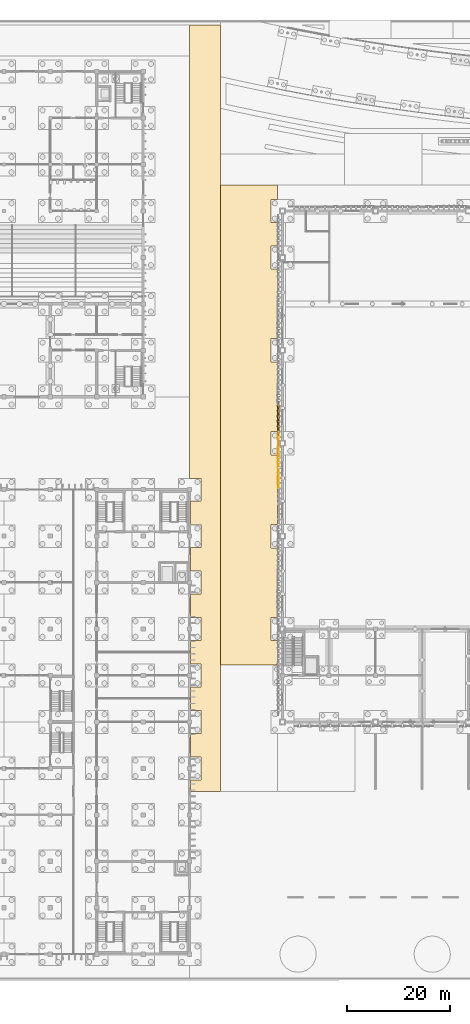
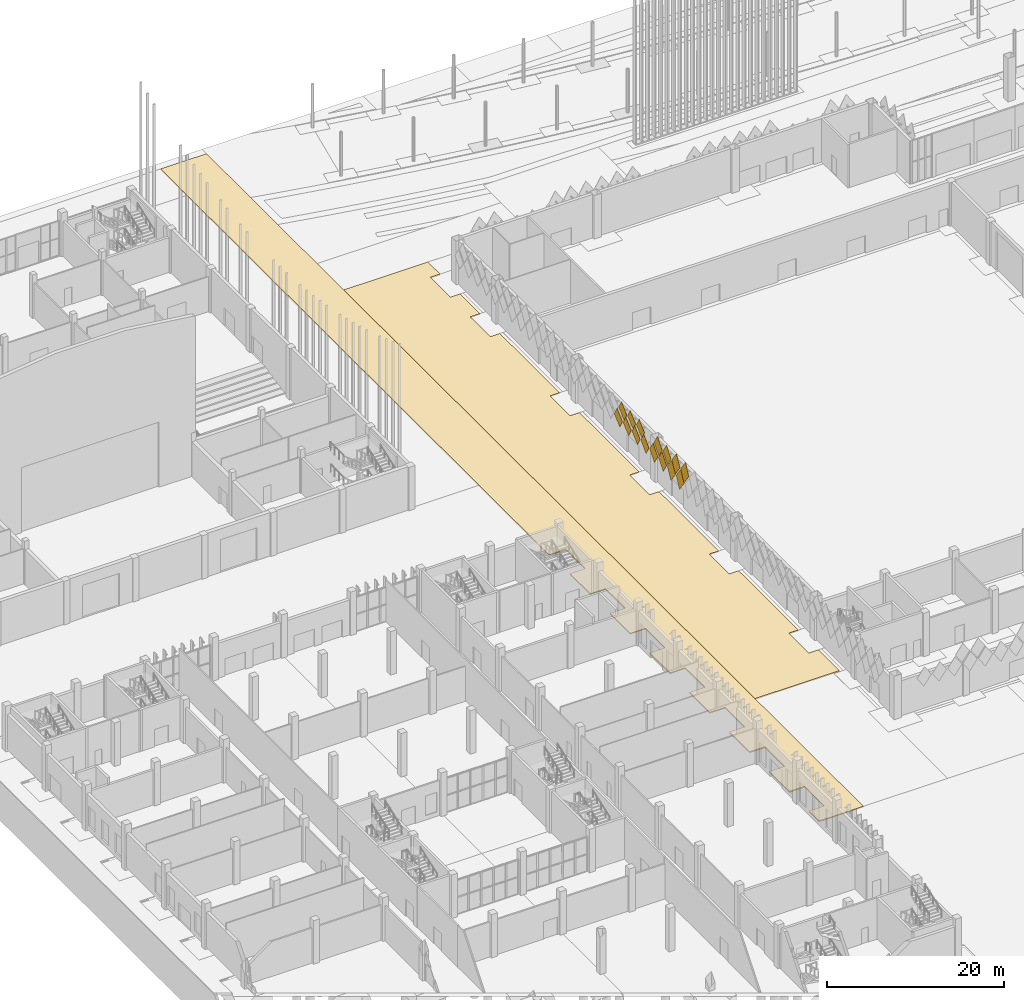
# One storey, part 152 of 198: 17 coverings.
"""IFC4 building model written with IfcOpenShell, lengths in metres."""

from ifc_helpers import new_model, si_unit, direction, frame, origin, place, context, subcontext, project, spatial, polyline, outline, extrude, material, layer, layer_set, material_profile, profile_set, type_object, element, save


model = new_model("IFC4")

# Units and contexts
model_context = context("Model", 3, precision=1e-05, world=origin(), true_north=direction((0.0, 1.0)))
body_context = subcontext(model_context, "Body", "Model", "MODEL_VIEW")
ifc_project = project(units=[si_unit("LENGTHUNIT", "METRE"), si_unit("AREAUNIT", "SQUARE_METRE"), si_unit("VOLUMEUNIT", "CUBIC_METRE"), si_unit("PLANEANGLEUNIT", "RADIAN"), si_unit("MASSUNIT", "GRAM", prefix="KILO")], contexts=[model_context])

# Site, building, storey
site_placement = place(None, origin())
site = spatial("IfcSite", under=ifc_project, at=site_placement, CompositionType="ELEMENT")
building_placement = place(site_placement, origin())
building = spatial("IfcBuilding", under=site, at=building_placement, Name="Opaline Strait Convention Centre", CompositionType="ELEMENT")
storey_placement = place(building_placement, origin())
storey = spatial("IfcBuildingStorey", under=building, at=storey_placement, Name="L00", CompositionType="ELEMENT", Elevation=0.0)

# Coverings
ifc_material_1 = material(Name="White ceramic-faced aluminium tile", Category="aluminium")
ifc_material_profile_1 = material_profile(ifc_material_1, outline(polyline([(0.927978515625, 0.0), (0.0, 1.39208984375), (-0.927978515625, 0.0), (0.0, -1.39208984375), (0.927978515625, 0.0)])), Name="Diamond tile 1856x2784")
ifc_profile_set_1 = profile_set([ifc_material_profile_1], Name="White ceramic-faced aluminium tile")
covering_type_1 = type_object("IfcCoveringType", Name="Diamond wall tile 1856x2784x30 pivot 3 deg", PredefinedType="CLADDING", material=ifc_profile_set_1)
for number, where, z_axis, x_axis, name in (
    (1, (98.199951171875, 105.25, 4.39208984375), (-0.998384516691, 0.0, -0.056818631031), (0.0, -1.0, 0.0), "Wall tile XT06 W"),
    (2, (98.199951171875, 103.25, 4.39208984375), (-0.998812351125, 0.0, 0.048722553713), (0.0, -1.0, 0.0), "Wall tile XT06 W"),
    (3, (98.199951171875, 104.25, 5.89208984375), (-0.998384516691, 0.0, -0.056818631031), (0.0, -1.0, 0.0), "Wall tile XT06 W"),
    (4, (98.199951171875, 102.25, 5.89208984375), (-0.998812351125, 0.0, 0.048722553713), (0.0, -1.0, 0.0), "Wall tile XT06 W"),
):
    element("IfcCovering", number, at=place(storey_placement, frame(where, z_axis=z_axis, x_axis=x_axis)), inside=storey, type_object=covering_type_1, Name=name, PredefinedType="CLADDING", context=body_context, shape_type="SweptSolid", body=[
        extrude(outline(polyline([(0.927978515625, 0.0), (0.0, 1.39208984375), (-0.927978515625, 0.0), (0.0, -1.39208984375), (0.927978515625, 0.0)])), origin(), (0.0, 0.0, 1.0), 0.030029296875),
    ])
ifc_material_profile_2 = material_profile(ifc_material_1, outline(polyline([(0.927978515625, 0.0), (0.0, 1.39208984375), (-0.927978515625, 0.0), (0.0, -1.39208984375), (0.927978515625, 0.0)])), Name="Diamond tile 1856x2784")
ifc_profile_set_2 = profile_set([ifc_material_profile_2], Name="White ceramic-faced aluminium tile")
covering_type_2 = type_object("IfcCoveringType", Name="Diamond wall tile 1856x2784x30 pivot 3.5 deg", PredefinedType="CLADDING", material=ifc_profile_set_2)
covering_1_placement = place(storey_placement, frame((98.199951171875, 107.25, 4.39208984375), z_axis=(-0.99785694905, 0.0, -0.065433242561), x_axis=(0.0, -1.0, 0.0)))
element("IfcCovering", 5, at=covering_1_placement, inside=storey, type_object=covering_type_2, Name="Wall tile XT07 W", PredefinedType="CLADDING", context=body_context, shape_type="SweptSolid", body=[
    extrude(outline(polyline([(0.927978515625, 0.0), (0.0, 1.39208984375), (-0.927978515625, 0.0), (0.0, -1.39208984375), (0.927978515625, 0.0)])), origin(), (0.0, 0.0, 1.0), 0.02978515625),
])
ifc_material_profile_3 = material_profile(ifc_material_1, outline(polyline([(0.927978515625, 0.0), (0.0, 1.39208984375), (-0.927978515625, 0.0), (0.0, -1.39208984375), (0.927978515625, 0.0)])), Name="Diamond tile 1856x2784")
ifc_profile_set_3 = profile_set([ifc_material_profile_3], Name="White ceramic-faced aluminium tile")
covering_type_3 = type_object("IfcCoveringType", Name="Diamond wall tile 1856x2784x30 pivot 4 deg", PredefinedType="CLADDING", material=ifc_profile_set_3)
covering_2_placement = place(storey_placement, frame((98.199951171875, 106.25, 5.89208984375), z_axis=(-0.997290013252, 0.0, -0.073570574748), x_axis=(0.0, -1.0, 0.0)))
element("IfcCovering", 6, at=covering_2_placement, inside=storey, type_object=covering_type_3, Name="Wall tile XT08 W", PredefinedType="CLADDING", context=body_context, shape_type="SweptSolid", body=[
    extrude(outline(polyline([(0.927978515625, 0.0), (0.0, 1.39208984375), (-0.927978515625, 0.0), (0.0, -1.39208984375), (0.927978515625, 0.0)])), origin(), (0.0, 0.0, 1.0), 0.02978515625),
])
ifc_material_profile_4 = material_profile(ifc_material_1, outline(polyline([(0.927978515625, 0.0), (0.0, 1.39208984375), (-0.927978515625, 0.0), (0.0, -1.39208984375), (0.927978515625, 0.0)])), Name="Diamond tile 1856x2784")
ifc_profile_set_4 = profile_set([ifc_material_profile_4], Name="White ceramic-faced aluminium tile")
covering_type_4 = type_object("IfcCoveringType", Name="Diamond wall tile 1856x2784x30 pivot 4.5 deg", PredefinedType="CLADDING", material=ifc_profile_set_4)
covering_3_placement = place(storey_placement, frame((98.199951171875, 100.25, 5.89208984375), z_axis=(-0.997290013252, 0.0, 0.073570574748), x_axis=(0.0, -1.0, 0.0)))
element("IfcCovering", 7, at=covering_3_placement, inside=storey, type_object=covering_type_4, Name="Wall tile XT09 W", PredefinedType="CLADDING", context=body_context, shape_type="SweptSolid", body=[
    extrude(outline(polyline([(0.927978515625, 0.0), (0.0, 1.39208984375), (-0.927978515625, 0.0), (0.0, -1.39208984375), (0.927978515625, 0.0)])), origin(), (0.0, 0.0, 1.0), 0.02978515625),
])
ifc_material_profile_5 = material_profile(ifc_material_1, outline(polyline([(0.927978515625, 0.0), (0.0, 1.39208984375), (-0.927978515625, 0.0), (0.0, -1.39208984375), (0.927978515625, 0.0)])), Name="Diamond tile 1856x2784")
ifc_profile_set_5 = profile_set([ifc_material_profile_5], Name="White ceramic-faced aluminium tile")
covering_type_5 = type_object("IfcCoveringType", Name="Diamond wall tile 1856x2784x30 pivot 5 deg", PredefinedType="CLADDING", material=ifc_profile_set_5)
covering_4_placement = place(storey_placement, frame((98.199951171875, 101.25, 4.39208984375), z_axis=(-0.996657521232, 0.0, 0.081693239445), x_axis=(0.0, -1.0, 0.0)))
element("IfcCovering", 8, at=covering_4_placement, inside=storey, type_object=covering_type_5, Name="Wall tile XT10 W", PredefinedType="CLADDING", context=body_context, shape_type="SweptSolid", body=[
    extrude(outline(polyline([(0.927978515625, 0.0), (0.0, 1.39208984375), (-0.927978515625, 0.0), (0.0, -1.39208984375), (0.927978515625, 0.0)])), origin(), (0.0, 0.0, 1.0), 0.02978515625),
])
ifc_material_profile_6 = material_profile(ifc_material_1, outline(polyline([(0.927978515625, 0.0), (0.0, 1.39208984375), (-0.927978515625, 0.0), (0.0, -1.39208984375), (0.927978515625, 0.0)])), Name="Diamond tile 1856x2784")
ifc_profile_set_6 = profile_set([ifc_material_profile_6], Name="White ceramic-faced aluminium tile")
covering_type_6 = type_object("IfcCoveringType", Name="Diamond wall tile 1856x2784x30 pivot 6 deg", PredefinedType="CLADDING", material=ifc_profile_set_6)
covering_5_placement = place(storey_placement, frame((98.199951171875, 109.25, 4.39208984375), z_axis=(-0.994370656274, 0.0, -0.105957528947), x_axis=(0.0, -1.0, 0.0)))
element("IfcCovering", 9, at=covering_5_placement, inside=storey, type_object=covering_type_6, Name="Wall tile XT12 W", PredefinedType="CLADDING", context=body_context, shape_type="SweptSolid", body=[
    extrude(outline(polyline([(0.927978515625, 0.0), (0.0, 1.39208984375), (-0.927978515625, 0.0), (0.0, -1.39208984375), (0.927978515625, 0.0)])), origin(), (0.0, 0.0, 1.0), 0.030029296875),
])
ifc_material_profile_7 = material_profile(ifc_material_1, outline(polyline([(0.927978515625, 0.0), (0.0, 1.39208984375), (-0.927978515625, 0.0), (0.0, -1.39208984375), (0.927978515625, 0.0)])), Name="Diamond tile 1856x2784")
ifc_profile_set_7 = profile_set([ifc_material_profile_7], Name="White ceramic-faced aluminium tile")
covering_type_7 = type_object("IfcCoveringType", Name="Diamond wall tile 1856x2784x30 pivot 7.5 deg", PredefinedType="CLADDING", material=ifc_profile_set_7)
for number, where, z_axis, x_axis, name in (
    (10, (98.199951171875, 115.25, 4.39208984375), (-0.991509530601, 0.0, -0.1300340368), (0.0, -1.0, 0.0), "Wall tile XT15 W"),
    (11, (98.199951171875, 111.25, 4.39208984375), (-0.991509530601, 0.0, -0.1300340368), (0.0, -1.0, 0.0), "Wall tile XT15 W"),
    (12, (98.199951171875, 114.25, 5.89208984375), (-0.991509530601, 0.0, -0.1300340368), (0.0, -1.0, 0.0), "Wall tile XT15 W"),
):
    element("IfcCovering", number, at=place(storey_placement, frame(where, z_axis=z_axis, x_axis=x_axis)), inside=storey, type_object=covering_type_7, Name=name, PredefinedType="CLADDING", context=body_context, shape_type="SweptSolid", body=[
        extrude(outline(polyline([(0.927978515625, 0.0), (0.0, 1.39208984375), (-0.927978515625, 0.0), (0.0, -1.39208984375), (0.927978515625, 0.0)])), origin(), (0.0, 0.0, 1.0), 0.030029296875),
    ])
ifc_material_profile_8 = material_profile(ifc_material_1, outline(polyline([(0.927978515625, 0.0), (0.0, 1.39208984375), (-0.927978515625, 0.0), (0.0, -1.39208984375), (0.927978515625, 0.0)])), Name="Diamond tile 1856x2784")
ifc_profile_set_8 = profile_set([ifc_material_profile_8], Name="White ceramic-faced aluminium tile")
covering_type_8 = type_object("IfcCoveringType", Name="Diamond wall tile 1856x2784x30 pivot 8 deg", PredefinedType="CLADDING", material=ifc_profile_set_8)
for number, where, z_axis, x_axis, name in (
    (13, (98.199951171875, 113.25, 4.39208984375), (-0.990274204789, 0.0, -0.139129433731), (0.0, -1.0, 0.0), "Wall tile XT16 W"),
    (14, (98.199951171875, 110.25, 5.89208984375), (-0.990274204789, 0.0, -0.139129433731), (0.0, -1.0, 0.0), "Wall tile XT16 W"),
):
    element("IfcCovering", number, at=place(storey_placement, frame(where, z_axis=z_axis, x_axis=x_axis)), inside=storey, type_object=covering_type_8, Name=name, PredefinedType="CLADDING", context=body_context, shape_type="SweptSolid", body=[
        extrude(outline(polyline([(0.927978515625, 0.0), (0.0, 1.39208984375), (-0.927978515625, 0.0), (0.0, -1.39208984375), (0.927978515625, 0.0)])), origin(), (0.0, 0.0, 1.0), 0.02978515625),
    ])
ifc_material_profile_9 = material_profile(ifc_material_1, outline(polyline([(0.927978515625, 0.0), (0.0, 1.39208984375), (-0.927978515625, 0.0), (0.0, -1.39208984375), (0.927978515625, 0.0)])), Name="Diamond tile 1856x2784")
ifc_profile_set_9 = profile_set([ifc_material_profile_9], Name="White ceramic-faced aluminium tile")
covering_type_9 = type_object("IfcCoveringType", Name="Diamond wall tile 1856x2784x30 pivot 8.5 deg", PredefinedType="CLADDING", material=ifc_profile_set_9)
covering_6_placement = place(storey_placement, frame((98.199951171875, 112.25, 5.89208984375), z_axis=(-0.987895005451, 0.0, -0.15512400912), x_axis=(0.0, -1.0, 0.0)))
element("IfcCovering", 15, at=covering_6_placement, inside=storey, type_object=covering_type_9, Name="Wall tile XT17 W", PredefinedType="CLADDING", context=body_context, shape_type="SweptSolid", body=[
    extrude(outline(polyline([(0.927978515625, 0.0), (0.0, 1.39208984375), (-0.927978515625, 0.0), (0.0, -1.39208984375), (0.927978515625, 0.0)])), origin(), (0.0, 0.0, 1.0), 0.02978515625),
])
ifc_material_2 = material(Name="Concrete C30 red oxide", Category="concrete")
ifc_layer_1 = layer(ifc_material_2, 0.14990234375)
ifc_layer_set_1 = layer_set([ifc_layer_1], Name="Concrete C30 red oxide")
covering_type_10 = type_object("IfcCoveringType", Name="Fire lane concrete paving 150 C30", PredefinedType="FLOORING", material=ifc_layer_set_1)
covering_7_placement = place(storey_placement, frame((0.0, 0.0, -0.14990234375)))
element("IfcCovering", 16, at=covering_7_placement, inside=storey, type_object=covering_type_10, Name="External Fire Appliance Lane West surfacing", PredefinedType="FLOORING", context=body_context, shape_type="SweptSolid", body=[
    extrude(outline(polyline([(87.0, 189.0), (81.0, 189.0), (81.0, 101.205078125), (83.205078125, 101.205078125), (83.205078125, 96.794921875), (81.205078125, 96.794921875), (81.205078125, 92.205078125), (83.205078125, 92.205078125), (83.205078125, 87.794921875), (81.205078125, 87.794921875), (81.205078125, 83.205078125), (83.205078125, 83.205078125), (83.205078125, 78.794921875), (81.205078125, 78.794921875), (81.205078125, 74.205078125), (83.205078125, 74.205078125), (83.205078125, 69.794921875), (81.205078125, 69.794921875), (81.205078125, 65.205078125), (83.205078125, 65.205078125), (83.205078125, 60.794921875), (81.205078125, 60.794921875), (81.205078125, 56.205078125), (83.205078125, 56.205078125), (83.205078125, 51.794921875), (81.205078125, 51.794921875), (81.205078125, 47.205078125), (83.205078125, 47.205078125), (83.205078125, 42.794921875), (81.205078125, 42.794921875), (81.205078125, 40.5), (87.0, 40.5), (87.0, 189.0)])), origin(), (0.0, 0.0, 1.0), 0.14990234375),
])
ifc_material_3 = material(Name="Permeable concrete block paving C30", Category="concrete")
ifc_layer_2 = layer(ifc_material_3, 0.14990234375)
ifc_layer_set_2 = layer_set([ifc_layer_2], Name="Permeable concrete block paving C30")
covering_type_11 = type_object("IfcCoveringType", Name="Permeable block paving 150", PredefinedType="FLOORING", material=ifc_layer_set_2)
covering_8_placement = place(storey_placement, frame((0.0, 0.0, -0.14990234375)))
element("IfcCovering", 17, at=covering_8_placement, inside=storey, type_object=covering_type_11, Name="Bicycle Parking West surfacing", PredefinedType="FLOORING", context=body_context, shape_type="SweptSolid", body=[
    extrude(outline(polyline([(87.0, 65.0), (98.0, 65.0), (98.0, 69.7451171875), (96.7451171875, 69.7451171875), (96.7451171875, 74.2548828125), (98.0, 74.2548828125), (98.0, 87.7451171875), (96.7451171875, 87.7451171875), (96.7451171875, 92.2548828125), (98.0, 92.2548828125), (98.0, 105.7451171875), (96.7451171875, 105.7451171875), (96.7451171875, 110.2548828125), (98.0, 110.2548828125), (98.0, 123.7451171875), (96.7451171875, 123.7451171875), (96.7451171875, 128.2548828125), (98.0, 128.2548828125), (98.0, 141.7451171875), (96.7451171875, 141.7451171875), (96.7451171875, 146.2548828125), (98.0, 146.2548828125), (98.0, 150.7451171875), (96.7451171875, 150.7451171875), (96.7451171875, 155.2548828125), (98.0, 155.2548828125), (98.0, 158.0), (87.0, 158.0), (87.0, 65.0)])), origin(), (0.0, 0.0, 1.0), 0.14990234375),
])

save(model, "model.ifc")
